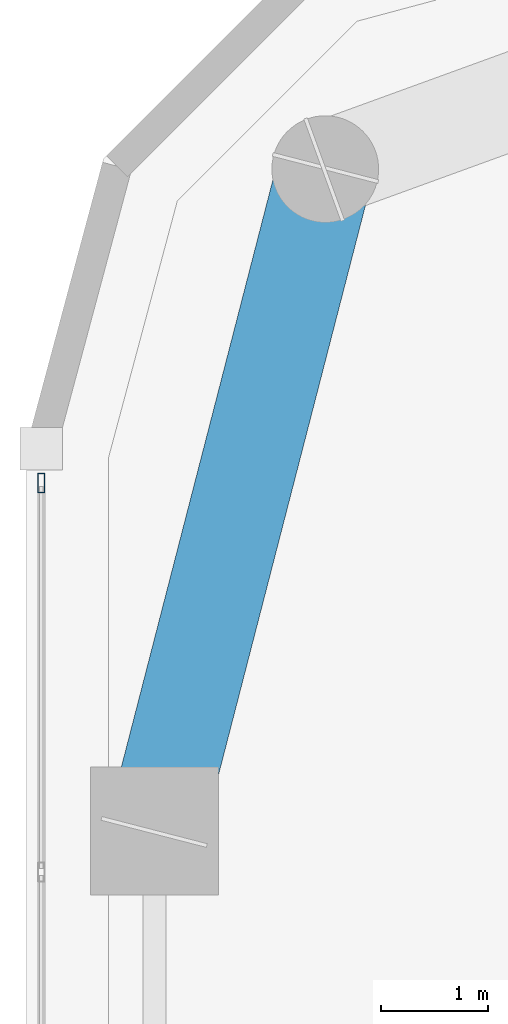
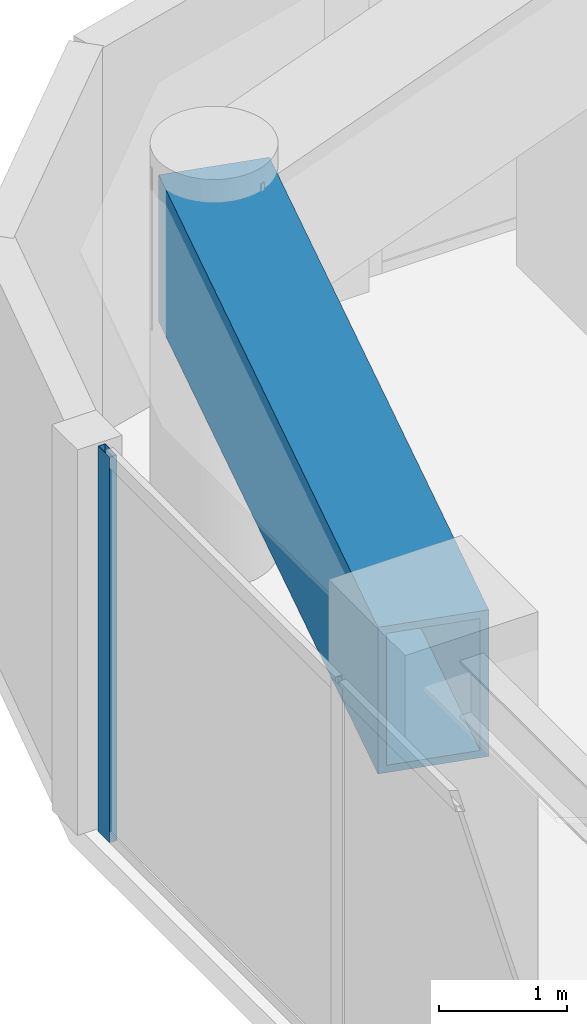
# One storey, part 15 of 30: 1 beam, 1 member, 1 element without a shape of its own.
"""IFC4 building model written with IfcOpenShell, lengths in metres."""

from ifc_helpers import new_model, si_unit, direction, frame, origin, origin_2d, place, context, subcontext, project, spatial, hollow_rectangle, extrude, material, layer, layer_set, material_profile, profile_set, type_object, element, aggregate, save


model = new_model("IFC4")

# Units and contexts
model_context = context("Model", 3, precision=1e-05, world=origin(), true_north=direction((0.0, 1.0)))
body_context = subcontext(model_context, "Body", "Model", "MODEL_VIEW")
ifc_project = project(units=[si_unit("LENGTHUNIT", "METRE"), si_unit("AREAUNIT", "SQUARE_METRE"), si_unit("VOLUMEUNIT", "CUBIC_METRE"), si_unit("PLANEANGLEUNIT", "RADIAN"), si_unit("MASSUNIT", "GRAM", prefix="KILO")], contexts=[model_context])

# Site, building, storey
site_placement = place(None, origin())
site = spatial("IfcSite", under=ifc_project, at=site_placement, CompositionType="ELEMENT")
building_placement = place(site_placement, origin())
building = spatial("IfcBuilding", under=site, at=building_placement, Name="Kiyonajd Concourse Tower", CompositionType="ELEMENT")
storey_placement = place(building_placement, frame((0.0, 0.0, 174.0)))
storey = spatial("IfcBuildingStorey", under=building, at=storey_placement, Name="L44", CompositionType="ELEMENT", Elevation=174.0)

# Beam
ifc_material_1 = material(Name="Steel ASTM A572 Grade 50", Category="steel")
ifc_material_profile_1 = material_profile(ifc_material_1, hollow_rectangle(XDim=0.89990234375, YDim=1.39990234375, WallThickness=0.070068359375, at=origin_2d()), Name="BOX-1400x900x70")
ifc_profile_set_1 = profile_set([ifc_material_profile_1], Name="Steel ASTM A572 Grade 50")
beam_type = type_object("IfcBeamType", Name="BM-XFER-1400", PredefinedType="BEAM", material=ifc_profile_set_1)
beam_placement = place(storey_placement, frame((20.800048828125, 59.60009765625, 2.97998046875), z_axis=(-0.249884937687, -0.968275538221, 0.0), x_axis=(0.968275538221, -0.249884937687, 0.0)))
element("IfcBeam", 1, at=beam_placement, inside=storey, type_object=beam_type, Name="L44 Perimeter Bundled Tube Spandrel", PredefinedType="BEAM", context=body_context, shape_type="SweptSolid", body=[
    extrude(hollow_rectangle(XDim=0.89990234375, YDim=1.39990234375, WallThickness=0.070068359375, at=origin_2d()), origin(), (0.0, 0.0, 1.0), 6.4033203125),
])

# Curtain wall, member
ifc_material_2 = material(Name="Thermally Broken Anodised Aluminium", Category="aluminium")
ifc_layer = layer(ifc_material_2, 0.179931640625)
ifc_layer_set = layer_set([ifc_layer], Name="Thermally Broken Anodised Aluminium")
curtain_wall_type = type_object("IfcCurtainWallType", Name="CW-SYS-03", PredefinedType="NOTDEFINED", material=ifc_layer_set)
curtain_wall_placement = place(storey_placement, origin())
curtain_wall = element("IfcCurtainWall", 2, at=curtain_wall_placement, inside=storey, type_object=curtain_wall_type, Name="L44 Unitised Curtain Wall CW3", PredefinedType="NOTDEFINED")
ifc_material_profile_2 = material_profile(ifc_material_2, hollow_rectangle(XDim=0.06494140625, YDim=0.179931640625, WallThickness=0.00390625, at=origin_2d()), Name="MULL-65x180")
ifc_profile_set_2 = profile_set([ifc_material_profile_2], Name="Thermally Broken Anodised Aluminium")
member_type = type_object("IfcMemberType", Name="MB-CW-MULL1", PredefinedType="MULLION", material=ifc_profile_set_2)
member_placement = place(storey_placement, frame((18.139892578125, 56.6591796875, 0.0), z_axis=(0.0, 0.0, 1.0), x_axis=(-1.0, 0.0, 0.0)))
member = element("IfcMember", 3, at=member_placement, type_object=member_type, Name="CW3 mullion 7", PredefinedType="MULLION", context=body_context, shape_type="SweptSolid", body=[
    extrude(hollow_rectangle(XDim=0.06494140625, YDim=0.179931640625, WallThickness=0.00390625, at=origin_2d()), origin(), (0.0, 0.0, 1.0), 3.679931640625),
])
aggregate(curtain_wall, [member])

save(model, "model.ifc")
